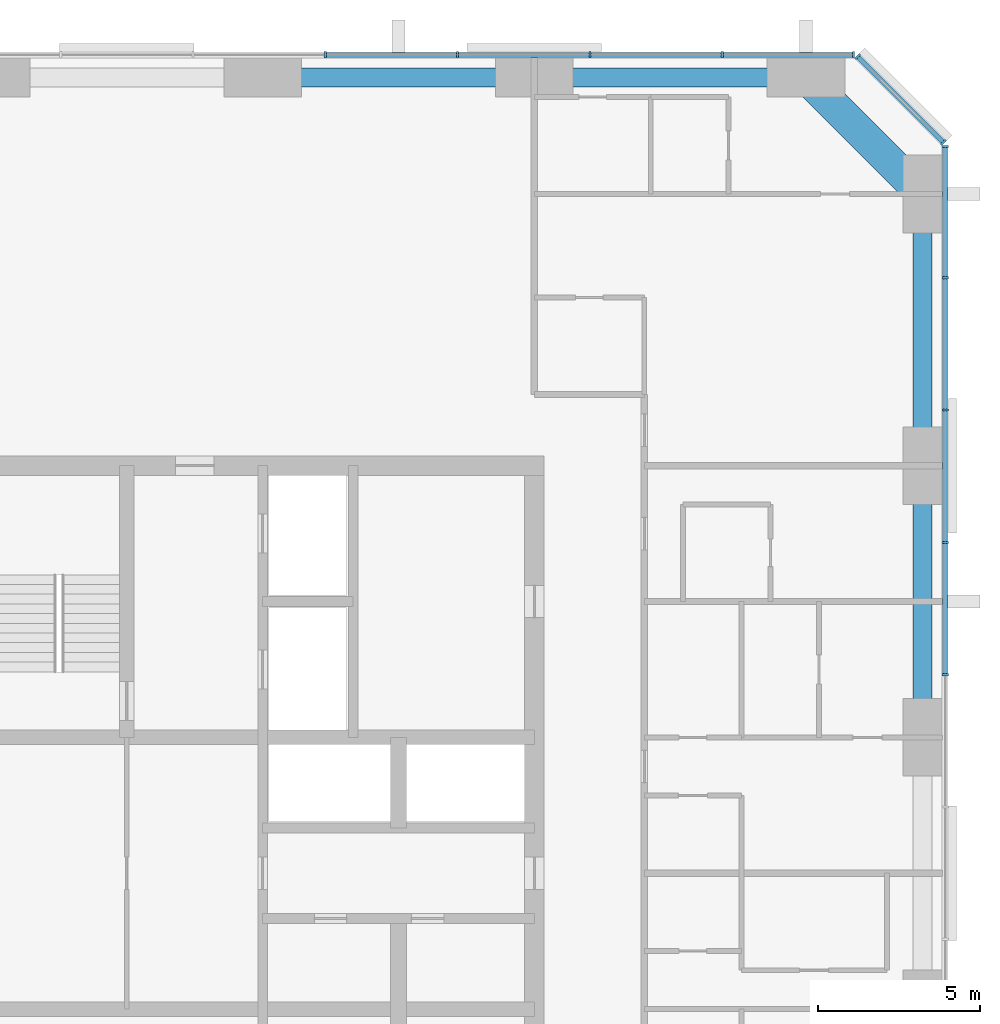
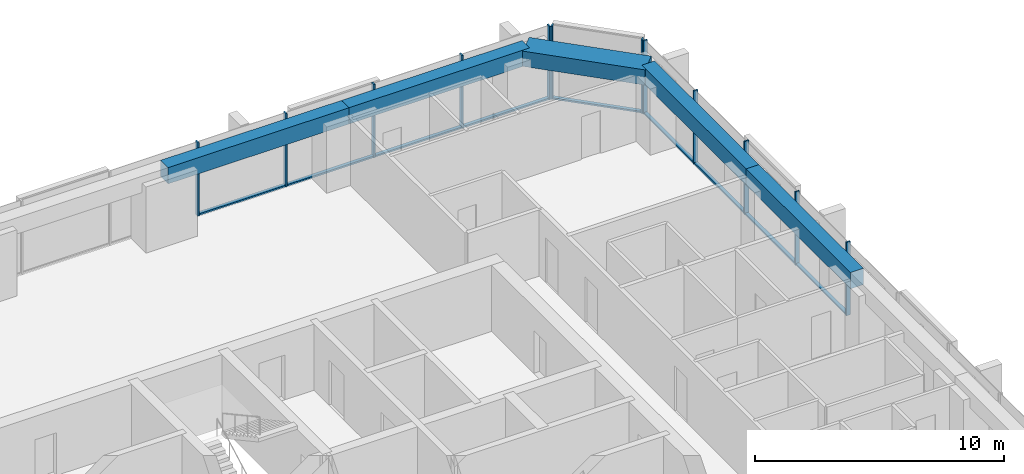
# One storey, part 6 of 13: 21 members, 5 beams, 3 elements without a shape of their own.
"""IFC4 building model written with IfcOpenShell, lengths in metres."""

from ifc_helpers import new_model, si_unit, direction, frame, origin, origin_2d, place, context, subcontext, project, spatial, rectangle, extrude, material, material_profile, profile_set, type_object, element, aggregate, save


model = new_model("IFC4")

# Units and contexts
model_context = context("Model", 3, precision=1e-05, world=origin(), true_north=direction((0.0, 1.0)))
body_context = subcontext(model_context, "Body", "Model", "MODEL_VIEW")
ifc_project = project(units=[si_unit("LENGTHUNIT", "METRE"), si_unit("AREAUNIT", "SQUARE_METRE"), si_unit("VOLUMEUNIT", "CUBIC_METRE"), si_unit("PLANEANGLEUNIT", "RADIAN"), si_unit("MASSUNIT", "GRAM", prefix="KILO")], contexts=[model_context])

# Site, building, storey
site_placement = place(None, origin())
site = spatial("IfcSite", under=ifc_project, at=site_placement, CompositionType="ELEMENT")
building_placement = place(site_placement, origin())
building = spatial("IfcBuilding", under=site, at=building_placement, Name="Dunama Terrace Hotel", CompositionType="ELEMENT")
storey_placement = place(building_placement, frame((0.0, 0.0, 187.800048828125)))
storey = spatial("IfcBuildingStorey", under=building, at=storey_placement, Name="L48", CompositionType="ELEMENT", Elevation=187.800048828125)

# Curtain wall, members
ifc_material_1 = material(Name="Aluminium curtain wall system", Category="aluminium")
curtain_wall_type = type_object("IfcCurtainWallType", Name="Unitised fritted glass wall CW-C", PredefinedType="NOTDEFINED", material=ifc_material_1)
curtain_wall_1_placement = place(storey_placement, origin())
curtain_wall_1 = element("IfcCurtainWall", 1, at=curtain_wall_1_placement, inside=storey, type_object=curtain_wall_type, Name="Unitised fritted glass wall CW-C L48", PredefinedType="NOTDEFINED")
ifc_material_2 = material(Name="Aluminium mullion", Category="aluminium")
ifc_material_profile_1 = material_profile(ifc_material_2, rectangle(XDim=0.070068359375, YDim=0.199951171875, at=origin_2d()), Name="CWC MULLION 70X200")
ifc_profile_set_1 = profile_set([ifc_material_profile_1], Name="Aluminium mullion")
member_type_1 = type_object("IfcMemberType", Name="CWC mullion 70x200", PredefinedType="MULLION", material=ifc_profile_set_1)
member_1_placement = place(storey_placement, frame((54.699951171875, 35.535888671875, 0.0), z_axis=(0.0, 0.0, 1.0), x_axis=(0.0, 1.0, 0.0)))
member_1 = element("IfcMember", 2, at=member_1_placement, type_object=member_type_1, Name="CWC mullion", PredefinedType="MULLION", context=body_context, shape_type="SweptSolid", body=[
    extrude(rectangle(XDim=0.070068359375, YDim=0.199951171875, at=origin_2d()), origin(), (0.0, 0.0, 1.0), 3.599853515625),
])
member_2_placement = place(storey_placement, frame((54.699951171875, 39.626953125, 0.0), z_axis=(0.0, 0.0, 1.0), x_axis=(0.0, 1.0, 0.0)))
member_2 = element("IfcMember", 3, at=member_2_placement, type_object=member_type_1, Name="CWC mullion", PredefinedType="MULLION", context=body_context, shape_type="SweptSolid", body=[
    extrude(rectangle(XDim=0.070068359375, YDim=0.199951171875, at=origin_2d()), origin(), (0.0, 0.0, 1.0), 3.599853515625),
])
member_3_placement = place(storey_placement, frame((54.699951171875, 43.718017578125, 0.0), z_axis=(0.0, 0.0, 1.0), x_axis=(0.0, 1.0, 0.0)))
member_3 = element("IfcMember", 4, at=member_3_placement, type_object=member_type_1, Name="CWC mullion", PredefinedType="MULLION", context=body_context, shape_type="SweptSolid", body=[
    extrude(rectangle(XDim=0.070068359375, YDim=0.199951171875, at=origin_2d()), origin(), (0.0, 0.0, 1.0), 3.599853515625),
])
member_4_placement = place(storey_placement, frame((54.699951171875, 47.80908203125, 0.0), z_axis=(0.0, 0.0, 1.0), x_axis=(0.0, 1.0, 0.0)))
member_4 = element("IfcMember", 5, at=member_4_placement, type_object=member_type_1, Name="CWC mullion", PredefinedType="MULLION", context=body_context, shape_type="SweptSolid", body=[
    extrude(rectangle(XDim=0.070068359375, YDim=0.199951171875, at=origin_2d()), origin(), (0.0, 0.0, 1.0), 3.599853515625),
])
member_5_placement = place(storey_placement, frame((54.699951171875, 51.864990234375, 0.0), z_axis=(0.0, 0.0, 1.0), x_axis=(0.0, 1.0, 0.0)))
member_5 = element("IfcMember", 6, at=member_5_placement, type_object=member_type_1, Name="CWC mullion", PredefinedType="MULLION", context=body_context, shape_type="SweptSolid", body=[
    extrude(rectangle(XDim=0.070068359375, YDim=0.199951171875, at=origin_2d()), origin(), (0.0, 0.0, 1.0), 3.599853515625),
])

curtain_wall_2_placement = place(storey_placement, origin())
curtain_wall_2 = element("IfcCurtainWall", 7, at=curtain_wall_2_placement, inside=storey, type_object=curtain_wall_type, Name="Unitised fritted glass wall CW-C L48", PredefinedType="NOTDEFINED")
member_6_placement = place(storey_placement, frame((54.64599609375, 51.9951171875, 0.0), z_axis=(0.0, 0.0, 1.0), x_axis=(-0.707106781187, 0.707106781187, 0.0)))
member_6 = element("IfcMember", 8, at=member_6_placement, type_object=member_type_1, Name="CWC mullion", PredefinedType="MULLION", context=body_context, shape_type="SweptSolid", body=[
    extrude(rectangle(XDim=0.070068359375, YDim=0.199951171875, at=origin_2d()), origin(), (0.0, 0.0, 1.0), 3.599853515625),
])
member_7_placement = place(storey_placement, frame((51.9951171875, 54.64599609375, 0.0), z_axis=(0.0, 0.0, 1.0), x_axis=(-0.707106781187, 0.707106781187, 0.0)))
member_7 = element("IfcMember", 9, at=member_7_placement, type_object=member_type_1, Name="CWC mullion", PredefinedType="MULLION", context=body_context, shape_type="SweptSolid", body=[
    extrude(rectangle(XDim=0.070068359375, YDim=0.199951171875, at=origin_2d()), origin(), (0.0, 0.0, 1.0), 3.599853515625),
])

curtain_wall_3_placement = place(storey_placement, origin())
curtain_wall_3 = element("IfcCurtainWall", 10, at=curtain_wall_3_placement, inside=storey, type_object=curtain_wall_type, Name="Unitised fritted glass wall CW-C L48", PredefinedType="NOTDEFINED")
member_8_placement = place(storey_placement, frame((51.864990234375, 54.699951171875, 0.0), z_axis=(0.0, 0.0, 1.0), x_axis=(-1.0, 0.0, 0.0)))
member_8 = element("IfcMember", 11, at=member_8_placement, type_object=member_type_1, Name="CWC mullion", PredefinedType="MULLION", context=body_context, shape_type="SweptSolid", body=[
    extrude(rectangle(XDim=0.070068359375, YDim=0.199951171875, at=origin_2d()), origin(), (0.0, 0.0, 1.0), 3.599853515625),
])
member_9_placement = place(storey_placement, frame((47.80908203125, 54.699951171875, 0.0), z_axis=(0.0, 0.0, 1.0), x_axis=(-1.0, 0.0, 0.0)))
member_9 = element("IfcMember", 12, at=member_9_placement, type_object=member_type_1, Name="CWC mullion", PredefinedType="MULLION", context=body_context, shape_type="SweptSolid", body=[
    extrude(rectangle(XDim=0.070068359375, YDim=0.199951171875, at=origin_2d()), origin(), (0.0, 0.0, 1.0), 3.599853515625),
])
member_10_placement = place(storey_placement, frame((43.718017578125, 54.699951171875, 0.0), z_axis=(0.0, 0.0, 1.0), x_axis=(-1.0, 0.0, 0.0)))
member_10 = element("IfcMember", 13, at=member_10_placement, type_object=member_type_1, Name="CWC mullion", PredefinedType="MULLION", context=body_context, shape_type="SweptSolid", body=[
    extrude(rectangle(XDim=0.070068359375, YDim=0.199951171875, at=origin_2d()), origin(), (0.0, 0.0, 1.0), 3.599853515625),
])
member_11_placement = place(storey_placement, frame((39.626953125, 54.699951171875, 0.0), z_axis=(0.0, 0.0, 1.0), x_axis=(-1.0, 0.0, 0.0)))
member_11 = element("IfcMember", 14, at=member_11_placement, type_object=member_type_1, Name="CWC mullion", PredefinedType="MULLION", context=body_context, shape_type="SweptSolid", body=[
    extrude(rectangle(XDim=0.070068359375, YDim=0.199951171875, at=origin_2d()), origin(), (0.0, 0.0, 1.0), 3.599853515625),
])
member_12_placement = place(storey_placement, frame((35.535888671875, 54.699951171875, 0.0), z_axis=(0.0, 0.0, 1.0), x_axis=(-1.0, 0.0, 0.0)))
member_12 = element("IfcMember", 15, at=member_12_placement, type_object=member_type_1, Name="CWC mullion", PredefinedType="MULLION", context=body_context, shape_type="SweptSolid", body=[
    extrude(rectangle(XDim=0.070068359375, YDim=0.199951171875, at=origin_2d()), origin(), (0.0, 0.0, 1.0), 3.599853515625),
])

# Member
ifc_material_3 = material(Name="Aluminium transom", Category="aluminium")
ifc_material_profile_2 = material_profile(ifc_material_3, rectangle(XDim=0.159912109375, YDim=0.080078125, at=origin_2d()), Name="CWC TRANSOM 160X80")
ifc_profile_set_2 = profile_set([ifc_material_profile_2], Name="Aluminium transom")
member_type_2 = type_object("IfcMemberType", Name="CWC transom 160x80", PredefinedType="USERDEFINED", material=ifc_profile_set_2)
member_13_placement = place(storey_placement, frame((54.699951171875, 35.571044921875, 0.0400390625), z_axis=(0.0, 1.0, 0.0), x_axis=(-1.0, 0.0, 0.0)))
member_13 = element("IfcMember", 16, at=member_13_placement, type_object=member_type_2, Name="CWC transom", ObjectType="TRANSOM", PredefinedType="USERDEFINED", context=body_context, shape_type="SweptSolid", body=[
    extrude(rectangle(XDim=0.159912109375, YDim=0.080078125, at=origin_2d()), origin(), (0.0, 0.0, 1.0), 4.02099609375),
])

member_14_placement = place(storey_placement, frame((54.699951171875, 39.662109375, 0.0400390625), z_axis=(0.0, 1.0, 0.0), x_axis=(-1.0, 0.0, 0.0)))
member_14 = element("IfcMember", 17, at=member_14_placement, type_object=member_type_2, Name="CWC transom", ObjectType="TRANSOM", PredefinedType="USERDEFINED", context=body_context, shape_type="SweptSolid", body=[
    extrude(rectangle(XDim=0.159912109375, YDim=0.080078125, at=origin_2d()), origin(), (0.0, 0.0, 1.0), 4.02099609375),
])

member_15_placement = place(storey_placement, frame((54.699951171875, 43.7529296875, 0.0400390625), z_axis=(0.0, 1.0, 0.0), x_axis=(-1.0, 0.0, 0.0)))
member_15 = element("IfcMember", 18, at=member_15_placement, type_object=member_type_2, Name="CWC transom", ObjectType="TRANSOM", PredefinedType="USERDEFINED", context=body_context, shape_type="SweptSolid", body=[
    extrude(rectangle(XDim=0.159912109375, YDim=0.080078125, at=origin_2d()), origin(), (0.0, 0.0, 1.0), 4.02099609375),
])

member_16_placement = place(storey_placement, frame((54.699951171875, 47.843994140625, 0.0400390625), z_axis=(0.0, 1.0, 0.0), x_axis=(-1.0, 0.0, 0.0)))
member_16 = element("IfcMember", 19, at=member_16_placement, type_object=member_type_2, Name="CWC transom", ObjectType="TRANSOM", PredefinedType="USERDEFINED", context=body_context, shape_type="SweptSolid", body=[
    extrude(rectangle(XDim=0.159912109375, YDim=0.080078125, at=origin_2d()), origin(), (0.0, 0.0, 1.0), 3.986083984375),
])

aggregate(curtain_wall_1, [member_1, member_2, member_3, member_4, member_5, member_13, member_14, member_15, member_16])

member_17_placement = place(storey_placement, frame((54.62109375, 52.02001953125, 0.0400390625), z_axis=(-0.707106781187, 0.707106781187, 0.0), x_axis=(-0.707106781187, -0.707106781187, 0.0)))
member_17 = element("IfcMember", 20, at=member_17_placement, type_object=member_type_2, Name="CWC transom", ObjectType="TRANSOM", PredefinedType="USERDEFINED", context=body_context, shape_type="SweptSolid", body=[
    extrude(rectangle(XDim=0.159912109375, YDim=0.080078125, at=origin_2d()), origin(), (0.0, 0.0, 1.0), 3.678466796875),
])

aggregate(curtain_wall_2, [member_6, member_7, member_17])

member_18_placement = place(storey_placement, frame((51.830078125, 54.699951171875, 0.0400390625), z_axis=(-1.0, 0.0, 0.0), x_axis=(0.0, -1.0, 0.0)))
member_18 = element("IfcMember", 21, at=member_18_placement, type_object=member_type_2, Name="CWC transom", ObjectType="TRANSOM", PredefinedType="USERDEFINED", context=body_context, shape_type="SweptSolid", body=[
    extrude(rectangle(XDim=0.159912109375, YDim=0.080078125, at=origin_2d()), origin(), (0.0, 0.0, 1.0), 3.986083984375),
])

member_19_placement = place(storey_placement, frame((47.77392578125, 54.699951171875, 0.0400390625), z_axis=(-1.0, 0.0, 0.0), x_axis=(0.0, -1.0, 0.0)))
member_19 = element("IfcMember", 22, at=member_19_placement, type_object=member_type_2, Name="CWC transom", ObjectType="TRANSOM", PredefinedType="USERDEFINED", context=body_context, shape_type="SweptSolid", body=[
    extrude(rectangle(XDim=0.159912109375, YDim=0.080078125, at=origin_2d()), origin(), (0.0, 0.0, 1.0), 4.02099609375),
])

member_20_placement = place(storey_placement, frame((43.68310546875, 54.699951171875, 0.0400390625), z_axis=(-1.0, 0.0, 0.0), x_axis=(0.0, -1.0, 0.0)))
member_20 = element("IfcMember", 23, at=member_20_placement, type_object=member_type_2, Name="CWC transom", ObjectType="TRANSOM", PredefinedType="USERDEFINED", context=body_context, shape_type="SweptSolid", body=[
    extrude(rectangle(XDim=0.159912109375, YDim=0.080078125, at=origin_2d()), origin(), (0.0, 0.0, 1.0), 4.02099609375),
])

member_21_placement = place(storey_placement, frame((39.592041015625, 54.699951171875, 0.0400390625), z_axis=(-1.0, 0.0, 0.0), x_axis=(0.0, -1.0, 0.0)))
member_21 = element("IfcMember", 24, at=member_21_placement, type_object=member_type_2, Name="CWC transom", ObjectType="TRANSOM", PredefinedType="USERDEFINED", context=body_context, shape_type="SweptSolid", body=[
    extrude(rectangle(XDim=0.159912109375, YDim=0.080078125, at=origin_2d()), origin(), (0.0, 0.0, 1.0), 4.02099609375),
])

aggregate(curtain_wall_3, [member_8, member_9, member_10, member_11, member_12, member_18, member_19, member_20, member_21])

# Beams
ifc_material_4 = material(Name="Concrete C50/60", Category="concrete")
ifc_material_profile_3 = material_profile(ifc_material_4, rectangle(XDim=1.0, YDim=0.75, at=origin_2d()), Name="RC 1000x750")
ifc_profile_set_3 = profile_set([ifc_material_profile_3], Name="Concrete C50/60")
beam_type_1 = type_object("IfcBeamType", Name="Edge beam RC 1000x750", PredefinedType="SPANDREL", material=ifc_profile_set_3)
beam_placement = place(storey_placement, frame((50.39990234375, 54.0, 3.224853515625), z_axis=(0.707106781187, -0.707106781187, 0.0), x_axis=(0.707106781187, 0.707106781187, 0.0)))
element("IfcBeam", 25, at=beam_placement, inside=storey, type_object=beam_type_1, Name="Corner edge beam under L49", PredefinedType="SPANDREL", context=body_context, shape_type="SweptSolid", body=[
    extrude(rectangle(XDim=1.0, YDim=0.75, at=origin_2d()), origin(), (0.0, 0.0, 1.0), 5.09130859375),
])
ifc_material_5 = material(Name="Concrete C40/50", Category="concrete")
ifc_material_profile_4 = material_profile(ifc_material_5, rectangle(XDim=0.60009765625, YDim=0.800048828125, at=origin_2d()), Name="RC 600x800")
ifc_profile_set_4 = profile_set([ifc_material_profile_4], Name="Concrete C40/50")
beam_type_2 = type_object("IfcBeamType", Name="Edge beam RC 600x800", PredefinedType="SPANDREL", material=ifc_profile_set_4)
for number, where, z_axis, x_axis, name in (
    (26, (54.0, 33.60009765625, 3.199951171875), (0.0, 1.0, 0.0), (-1.0, 0.0, 0.0), "Edge beam under L49"),
    (27, (54.0, 42.0, 3.199951171875), (0.0, 1.0, 0.0), (-1.0, 0.0, 0.0), "Edge beam under L49"),
    (28, (33.60009765625, 54.0, 3.199951171875), (1.0, 0.0, 0.0), (0.0, 1.0, 0.0), "Edge beam under L49"),
    (29, (42.0, 54.0, 3.199951171875), (1.0, 0.0, 0.0), (0.0, 1.0, 0.0), "Edge beam under L49"),
):
    element("IfcBeam", number, at=place(storey_placement, frame(where, z_axis=z_axis, x_axis=x_axis)), inside=storey, type_object=beam_type_2, Name=name, PredefinedType="SPANDREL", context=body_context, shape_type="SweptSolid", body=[
        extrude(rectangle(XDim=0.60009765625, YDim=0.800048828125, at=origin_2d()), origin(), (0.0, 0.0, 1.0), 8.39990234375),
    ])

save(model, "model.ifc")
